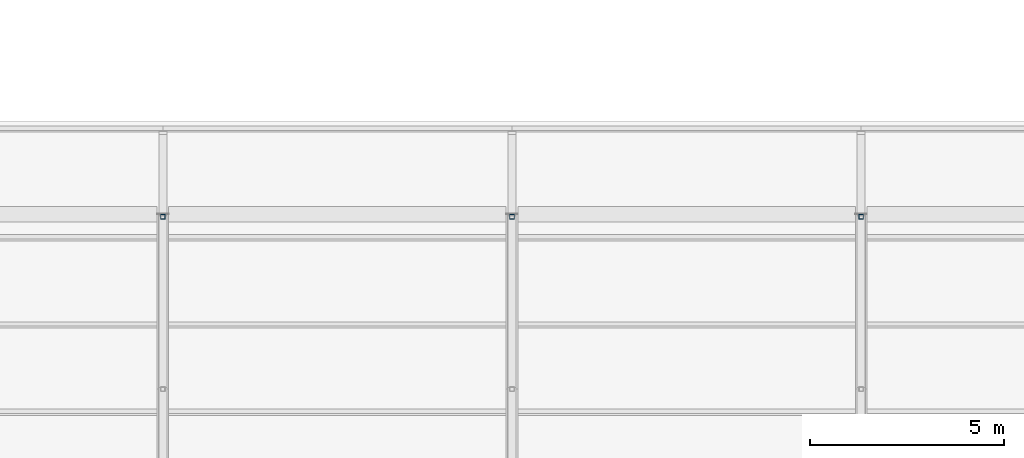
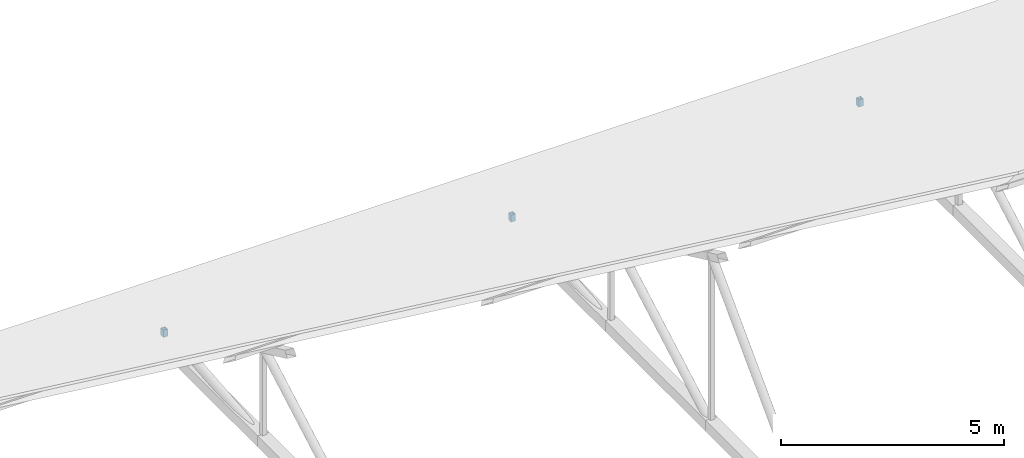
# One storey, part 85 of 154: 3 members.
"""IFC4 building model written with IfcOpenShell, lengths in metres."""

from ifc_helpers import new_model, si_unit, direction, frame, origin, origin_2d, place, context, subcontext, project, spatial, hollow_rectangle, extrude, material, material_profile, profile_set, type_object, element, save


model = new_model("IFC4")

# Units and contexts
model_context = context("Model", 3, precision=1e-05, world=origin(), true_north=direction((0.0, 1.0)))
body_context = subcontext(model_context, "Body", "Model", "MODEL_VIEW")
ifc_project = project(units=[si_unit("LENGTHUNIT", "METRE"), si_unit("AREAUNIT", "SQUARE_METRE"), si_unit("VOLUMEUNIT", "CUBIC_METRE"), si_unit("PLANEANGLEUNIT", "RADIAN"), si_unit("MASSUNIT", "GRAM", prefix="KILO")], contexts=[model_context])

# Site, building, storey
site_placement = place(None, origin())
site = spatial("IfcSite", under=ifc_project, at=site_placement, CompositionType="ELEMENT")
building_placement = place(site_placement, origin())
building = spatial("IfcBuilding", under=site, at=building_placement, Name="Golden Quay Civic Hall", CompositionType="ELEMENT")
storey_placement = place(building_placement, frame((0.0, 0.0, 14.39990234375)))
storey = spatial("IfcBuildingStorey", under=building, at=storey_placement, Name="L03", CompositionType="ELEMENT", Elevation=14.39990234375)

# Members
ifc_material = material(Name="Steel S355", Category="steel")
ifc_material_profile = material_profile(ifc_material, hollow_rectangle(XDim=0.1201171875, YDim=0.1201171875, WallThickness=0.008056640625, at=origin_2d()), Name="SHS 120x120x8")
ifc_profile_set = profile_set([ifc_material_profile], Name="Steel S355")
member_type = type_object("IfcMemberType", Name="Steel truss post SHS 120x120x8", PredefinedType="USERDEFINED", material=ifc_profile_set)
for number, where, z_axis, x_axis, name in (
    (1, (135.0, 98.93994140625, 0.050048828125), (0.0, 0.0, 1.0), (1.0, 0.0, 0.0), "Truss 135 post 9 L03"),
    (2, (144.0, 98.93994140625, 0.050048828125), (0.0, 0.0, 1.0), (1.0, 0.0, 0.0), "Truss 144 post 9 L03"),
    (3, (153.0, 98.93994140625, 0.050048828125), (0.0, 0.0, 1.0), (1.0, 0.0, 0.0), "Truss 153 post 9 L03"),
):
    element("IfcMember", number, at=place(storey_placement, frame(where, z_axis=z_axis, x_axis=x_axis)), inside=storey, type_object=member_type, Name=name, ObjectType="TRUSS POST", PredefinedType="USERDEFINED", context=body_context, shape_type="SweptSolid", body=[
        extrude(hollow_rectangle(XDim=0.1201171875, YDim=0.1201171875, WallThickness=0.008056640625, at=origin_2d()), origin(), (0.0, 0.0, 1.0), 0.195556640625),
    ])

save(model, "model.ifc")
